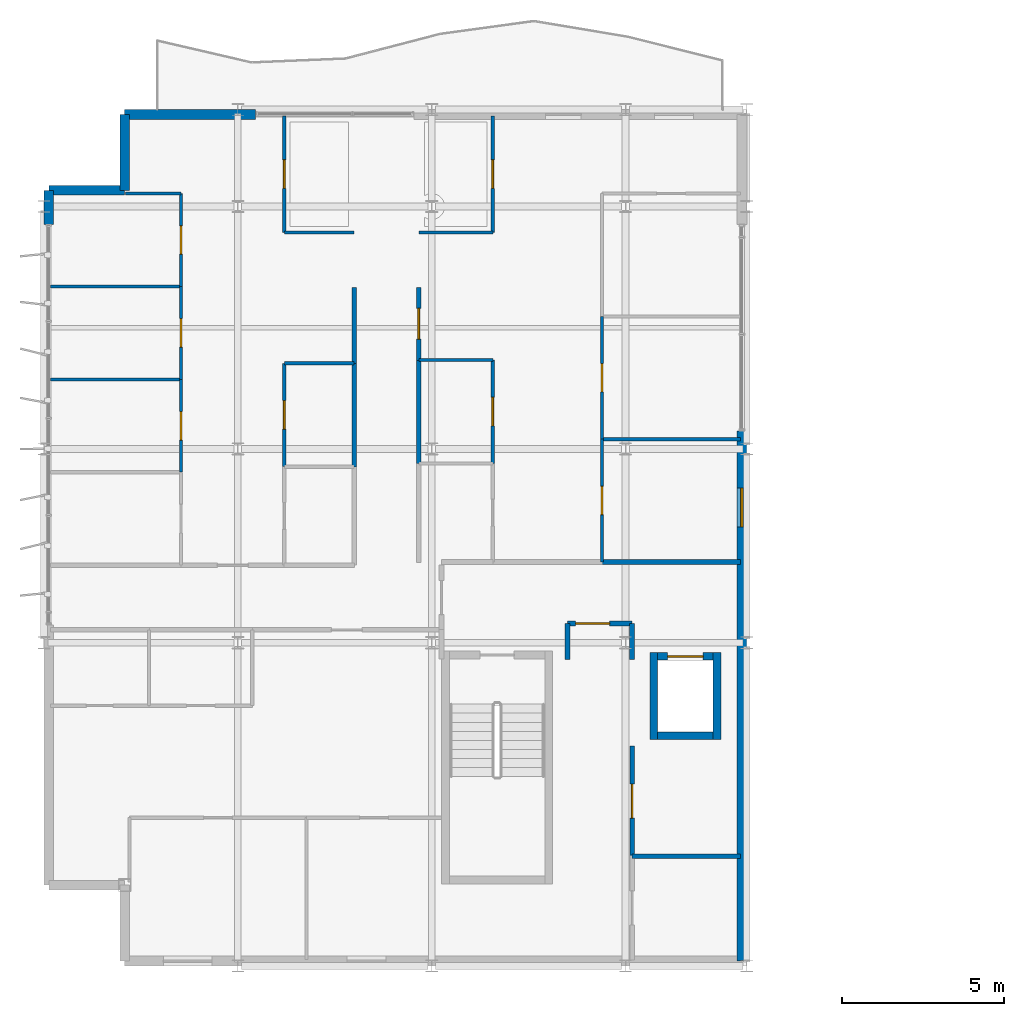
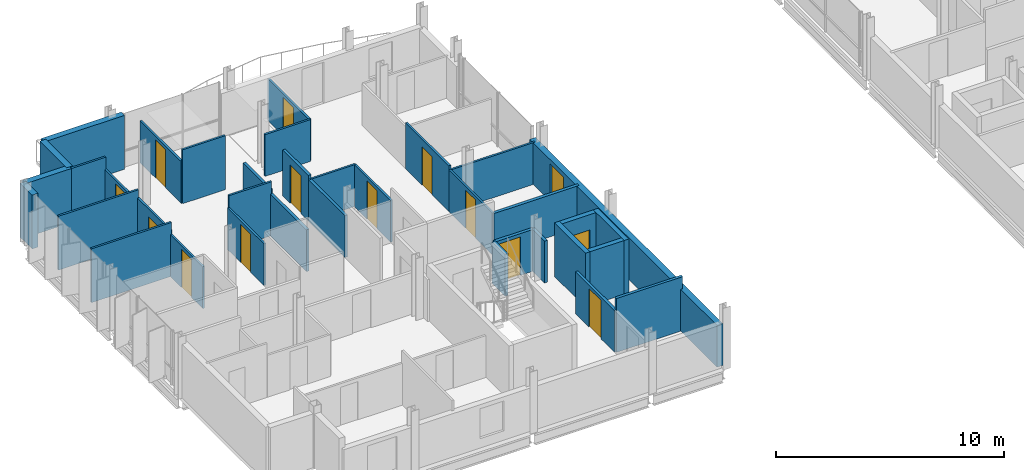
# One storey, part 23 of 30: 36 walls, 13 doors, 1 window, 14 openings.
"""IFC4 building model written with IfcOpenShell, lengths in metres."""

from ifc_helpers import new_model, si_unit, direction, frame, frame_2d, origin, place, context, subcontext, project, spatial, rectangle, extrude, material, layer, layer_set, type_object, element, fill, save


model = new_model("IFC4")

# Units and contexts
model_context = context("Model", 3, precision=1e-05, world=origin(), true_north=direction((0.0, 1.0)))
body_context = subcontext(model_context, "Body", "Model", "MODEL_VIEW")
ifc_project = project(units=[si_unit("LENGTHUNIT", "METRE"), si_unit("AREAUNIT", "SQUARE_METRE"), si_unit("VOLUMEUNIT", "CUBIC_METRE"), si_unit("PLANEANGLEUNIT", "RADIAN"), si_unit("MASSUNIT", "GRAM", prefix="KILO")], contexts=[model_context])

# Site, building, storey
site_placement = place(None, origin())
site = spatial("IfcSite", under=ifc_project, at=site_placement, CompositionType="ELEMENT")
building_placement = place(site_placement, origin())
building = spatial("IfcBuilding", under=site, at=building_placement, Name="Brevholm Reach", CompositionType="ELEMENT")
storey_placement = place(building_placement, frame((0.0, 0.0, 211.10009765625)))
storey = spatial("IfcBuildingStorey", under=building, at=storey_placement, Name="L64", CompositionType="ELEMENT", Elevation=211.10009765625)

# Walls
ifc_material_1 = material(Name="Concrete C45/55", Category="concrete")
ifc_layer_1 = layer(ifc_material_1, 0.239990234375)
ifc_layer_set_1 = layer_set([ifc_layer_1], Name="Concrete C45/55")
wall_type_1 = type_object("IfcWallType", Name="WAL-COR-240", PredefinedType="SHEAR", material=ifc_layer_set_1)
for number, where, z_axis, x_axis, name in (
    (1, (18.8701171875, 7.0, 0.0), (0.0, 0.0, 1.0), (0.0, 1.0, 0.0), "L64 Lift FFL-1 Shaft Wall W"),
    (2, (20.830078125, 7.0, 0.0), (0.0, 0.0, 1.0), (0.0, 1.0, 0.0), "L64 Lift FFL-1 Shaft Wall E"),
):
    element("IfcWall", number, at=place(storey_placement, frame(where, z_axis=z_axis, x_axis=x_axis)), inside=storey, type_object=wall_type_1, Name=name, PredefinedType="SHEAR", context=body_context, shape_type="SweptSolid", body=[
        extrude(rectangle(XDim=2.699951171875, YDim=0.239990234375, at=frame_2d((1.35009765625, 0.0))), origin(), (0.0, 0.0, 1.0), 2.8798828125),
    ])
wall_1_placement = place(storey_placement, frame((18.989990234375, 7.1201171875, 0.0), z_axis=(0.0, 0.0, 1.0), x_axis=(1.0, 0.0, 0.0)))
element("IfcWall", 3, at=wall_1_placement, inside=storey, type_object=wall_type_1, Name="L64 Lift FFL-1 Shaft Wall S", PredefinedType="SHEAR", context=body_context, shape_type="SweptSolid", body=[
    extrude(rectangle(XDim=1.719970703125, YDim=0.239990234375, at=frame_2d((0.85986328125, 0.0))), origin(), (0.0, 0.0, 1.0), 2.8798828125),
])

# Wall, opening, door
wall_2_placement = place(storey_placement, frame((18.989990234375, 9.580078125, 0.0), z_axis=(0.0, 0.0, 1.0), x_axis=(1.0, 0.0, 0.0)))
wall_2 = element("IfcWall", 4, at=wall_2_placement, inside=storey, type_object=wall_type_1, Name="L64 Lift FFL-1 Shaft Wall N", PredefinedType="SHEAR", context=body_context, shape_type="SweptSolid", body=[
    extrude(rectangle(XDim=1.719970703125, YDim=0.239990234375, at=frame_2d((0.85986328125, 0.0))), origin(), (0.0, 0.0, 1.0), 2.8798828125),
])
opening_1_placement = place(wall_2_placement, frame((0.31005859375, 0.0, 0.0)))
opening_1 = element("IfcOpeningElement", 5, at=opening_1_placement, cuts=wall_2, Name="Opening LD-FFL-1", PredefinedType="OPENING", context=body_context, shape_type="SweptSolid", body=[
    extrude(rectangle(XDim=1.10009765625, YDim=2.06005859375, at=frame_2d((0.550048828125, 1.030029296875))), frame((0.0, 0.1298828125, 0.0), z_axis=(0.0, -1.0, 0.0), x_axis=(1.0, 0.0, 0.0)), (0.0, 0.0, 1.0), 0.260009765625),
])
ifc_material_2 = material(Name="Brushed Stainless Steel Fire-Rated Sliding Lift Door", Category="steel")
door_type_1 = type_object("IfcDoorType", Name="DOR-LFT-1100", OperationType="NOTDEFINED", PredefinedType="DOOR", material=ifc_material_2)
door_1_placement = place(opening_1_placement, origin())
door_1 = element("IfcDoor", 6, at=door_1_placement, inside=storey, type_object=door_type_1, Name="L64 Lift FFL-1 Sliding Landing Door", OperationType="SLIDING_TO_RIGHT", OverallHeight=2.06005859375, OverallWidth=1.10009765625, PredefinedType="DOOR", context=body_context, shape_type="SweptSolid", body=[
    extrude(rectangle(XDim=1.10009765625, YDim=2.06005859375, at=frame_2d((0.550048828125, 1.030029296875))), frame((0.0, 0.02490234375, 0.0), z_axis=(0.0, -1.0, 0.0), x_axis=(1.0, 0.0, 0.0)), (0.0, 0.0, 1.0), 0.050048828125),
])
fill(opening_1, door_1)

# Walls
ifc_material_3 = material(Name="Concrete C40/50", Category="concrete")
ifc_layer_2 = layer(ifc_material_3, 0.300048828125)
ifc_layer_set_2 = layer_set([ifc_layer_2], Name="Concrete C40/50")
wall_type_2 = type_object("IfcWallType", Name="WAL-EXT-300", PredefinedType="STANDARD", material=ifc_layer_set_2)
for number, where, z_axis, x_axis, name in (
    (7, (2.5, 26.35009765625, 0.0), (0.0, 0.0, 1.0), (0.0, -1.0, 0.0), "L64 Facade Wall WAL-L64-WW-CNW1"),
    (8, (2.5, 24.0, 0.0), (0.0, 0.0, 1.0), (-1.0, 0.0, 0.0), "L64 Facade Wall WAL-L64-WW-CNW2"),
):
    element("IfcWall", number, at=place(storey_placement, frame(where, z_axis=z_axis, x_axis=x_axis)), inside=storey, type_object=wall_type_2, Name=name, PredefinedType="STANDARD", context=body_context, shape_type="SweptSolid", body=[
        extrude(rectangle(XDim=2.35009765625, YDim=0.300048828125, at=frame_2d((1.175048828125, 0.0))), origin(), (0.0, 0.0, 1.0), 2.8798828125),
    ])
wall_3_placement = place(storey_placement, frame((0.14990234375, 24.0, 0.0), z_axis=(0.0, 0.0, 1.0), x_axis=(0.0, -1.0, 0.0)))
element("IfcWall", 9, at=wall_3_placement, inside=storey, type_object=wall_type_2, Name="L64 Facade Wall WAL-L64-WW-WN", PredefinedType="STANDARD", context=body_context, shape_type="SweptSolid", body=[
    extrude(rectangle(XDim=1.050048828125, YDim=0.300048828125, at=frame_2d((0.52490234375, 0.0))), origin(), (0.0, 0.0, 1.0), 2.8798828125),
])
wall_4_placement = place(storey_placement, frame((2.5, 26.35009765625, 0.0), z_axis=(0.0, 0.0, 1.0), x_axis=(1.0, 0.0, 0.0)))
element("IfcWall", 10, at=wall_4_placement, inside=storey, type_object=wall_type_2, Name="L64 Facade Wall WAL-L64-WW-NP1", PredefinedType="STANDARD", context=body_context, shape_type="SweptSolid", body=[
    extrude(rectangle(XDim=4.050048828125, YDim=0.300048828125, at=frame_2d((2.02490234375, 0.0))), origin(), (0.0, 0.0, 1.0), 2.8798828125),
])

# Wall, opening, window
wall_5_placement = place(storey_placement, frame((21.60009765625, 0.14990234375, 0.0), z_axis=(0.0, 0.0, 1.0), x_axis=(0.0, 1.0, 0.0)))
wall_5 = element("IfcWall", 11, at=wall_5_placement, inside=storey, type_object=wall_type_2, Name="L64 Facade Wall WAL-L64-VP-WS", PredefinedType="STANDARD", context=body_context, shape_type="SweptSolid", body=[
    extrude(rectangle(XDim=16.400146484375, YDim=0.300048828125, at=frame_2d((8.2001953125, 0.0))), origin(), (0.0, 0.0, 1.0), 2.234619140625),
])
opening_2_placement = place(wall_5_placement, frame((13.436279296875, 0.0, 0.414794921875)))
opening_2 = element("IfcOpeningElement", 12, at=opening_2_placement, cuts=wall_5, Name="Opening WN-08", PredefinedType="OPENING", context=body_context, shape_type="SweptSolid", body=[
    extrude(rectangle(XDim=1.199951171875, YDim=1.60009765625, at=frame_2d((0.60009765625, 0.800048828125))), frame((0.0, 0.159912109375, 0.0), z_axis=(0.0, -1.0, 0.0), x_axis=(1.0, 0.0, 0.0)), (0.0, 0.0, 1.0), 0.320068359375),
])
ifc_material_4 = material(Name="Dark Anodised Aluminium and Solar-Control IGU Glass", Category="aluminium")
window_type = type_object("IfcWindowType", Name="WIN-RES-1200", PartitioningType="SINGLE_PANEL", PredefinedType="WINDOW", material=ifc_material_4)
window_placement = place(opening_2_placement, origin())
window = element("IfcWindow", 13, at=window_placement, inside=storey, type_object=window_type, Name="L64 Bedroom Window 067", OverallHeight=1.60009765625, OverallWidth=1.199951171875, PartitioningType="SINGLE_PANEL", PredefinedType="WINDOW", context=body_context, shape_type="SweptSolid", body=[
    extrude(rectangle(XDim=1.199951171875, YDim=1.60009765625, at=frame_2d((0.60009765625, 0.800048828125))), frame((0.0, 0.030029296875, 0.0), z_axis=(0.0, -1.0, 0.0), x_axis=(1.0, 0.0, 0.0)), (0.0, 0.0, 1.0), 0.06005859375),
])
fill(opening_2, window)

# Wall
ifc_material_5 = material(Name="Moisture-Resistant Acoustic Gypsum Stud Partition 100 mm", Category="gypsum")
ifc_layer_3 = layer(ifc_material_5, 0.10009765625)
ifc_layer_set_3 = layer_set([ifc_layer_3], Name="Moisture-Resistant Acoustic Gypsum Stud Partition 100 mm")
wall_type_3 = type_object("IfcWallType", Name="WAL-PRT-100", PredefinedType="PARTITIONING", material=ifc_layer_set_3)
wall_6_placement = place(storey_placement, frame((7.43798828125, 18.64990234375, 0.0), z_axis=(0.0, 0.0, 1.0), x_axis=(1.0, 0.0, 0.0)))
element("IfcWall", 14, at=wall_6_placement, inside=storey, type_object=wall_type_3, Name="L64 Internal Partition 049", PredefinedType="PARTITIONING", context=body_context, shape_type="SweptSolid", body=[
    extrude(rectangle(XDim=2.157958984375, YDim=0.10009765625, at=frame_2d((1.0791015625, 0.0))), origin(), (0.0, 0.0, 1.0), 2.8798828125),
])

# Wall, opening, door
wall_7_placement = place(storey_placement, frame((7.43798828125, 15.4541015625, 0.0), z_axis=(0.0, 0.0, 1.0), x_axis=(0.0, 1.0, 0.0)))
wall_7 = element("IfcWall", 15, at=wall_7_placement, inside=storey, type_object=wall_type_3, Name="L64 Internal Partition 050", PredefinedType="PARTITIONING", context=body_context, shape_type="SweptSolid", body=[
    extrude(rectangle(XDim=3.19580078125, YDim=0.10009765625, at=frame_2d((1.597900390625, 0.0))), origin(), (0.0, 0.0, 1.0), 2.234619140625),
])
opening_3_placement = place(wall_7_placement, frame((1.157958984375, 0.0, 0.0)))
opening_3 = element("IfcOpeningElement", 16, at=opening_3_placement, cuts=wall_7, Name="Opening ID-01", PredefinedType="OPENING", context=body_context, shape_type="SweptSolid", body=[
    extrude(rectangle(XDim=0.8798828125, YDim=2.0400390625, at=frame_2d((0.43994140625, 1.02001953125))), frame((0.0, 0.06005859375, 0.0), z_axis=(0.0, -1.0, 0.0), x_axis=(1.0, 0.0, 0.0)), (0.0, 0.0, 1.0), 0.1201171875),
])
ifc_material_6 = material(Name="Lacquered Ash Solid-Core Acoustic Internal Door", Category="timber")
door_type_2 = type_object("IfcDoorType", Name="DOR-INT-880", OperationType="NOTDEFINED", PredefinedType="DOOR", material=ifc_material_6)
door_2_placement = place(opening_3_placement, origin())
door_2 = element("IfcDoor", 17, at=door_2_placement, inside=storey, type_object=door_type_2, Name="L64 Internal Door 021", OperationType="SINGLE_SWING_RIGHT", OverallHeight=2.0400390625, OverallWidth=0.8798828125, PredefinedType="DOOR", context=body_context, shape_type="SweptSolid", body=[
    extrude(rectangle(XDim=0.8798828125, YDim=2.0400390625, at=frame_2d((0.43994140625, 1.02001953125))), frame((0.0, 0.02490234375, 0.0), z_axis=(0.0, -1.0, 0.0), x_axis=(1.0, 0.0, 0.0)), (0.0, 0.0, 1.0), 0.050048828125),
])
fill(opening_3, door_2)

# Wall
wall_8_placement = place(storey_placement, frame((7.43798828125, 22.699951171875, 0.0), z_axis=(0.0, 0.0, 1.0), x_axis=(1.0, 0.0, 0.0)))
element("IfcWall", 18, at=wall_8_placement, inside=storey, type_object=wall_type_3, Name="L64 Internal Partition 051", PredefinedType="PARTITIONING", context=body_context, shape_type="SweptSolid", body=[
    extrude(rectangle(XDim=2.162109375, YDim=0.10009765625, at=frame_2d((1.0810546875, 0.0))), origin(), (0.0, 0.0, 1.0), 2.8798828125),
])

# Wall, opening, door
wall_9_placement = place(storey_placement, frame((7.43798828125, 22.699951171875, 0.0), z_axis=(0.0, 0.0, 1.0), x_axis=(0.0, 1.0, 0.0)))
wall_9 = element("IfcWall", 19, at=wall_9_placement, inside=storey, type_object=wall_type_3, Name="L64 Internal Partition 052", PredefinedType="PARTITIONING", context=body_context, shape_type="SweptSolid", body=[
    extrude(rectangle(XDim=3.60009765625, YDim=0.10009765625, at=frame_2d((1.800048828125, 0.0))), origin(), (0.0, 0.0, 1.0), 2.234619140625),
])
opening_4_placement = place(wall_9_placement, frame((1.360107421875, 0.0, 0.0)))
opening_4 = element("IfcOpeningElement", 20, at=opening_4_placement, cuts=wall_9, Name="Opening ID-01", PredefinedType="OPENING", context=body_context, shape_type="SweptSolid", body=[
    extrude(rectangle(XDim=0.8798828125, YDim=2.0400390625, at=frame_2d((0.43994140625, 1.02001953125))), frame((0.0, 0.06005859375, 0.0), z_axis=(0.0, -1.0, 0.0), x_axis=(1.0, 0.0, 0.0)), (0.0, 0.0, 1.0), 0.1201171875),
])
door_3_placement = place(opening_4_placement, origin())
door_3 = element("IfcDoor", 21, at=door_3_placement, inside=storey, type_object=door_type_2, Name="L64 Internal Door 022", OperationType="SINGLE_SWING_LEFT", OverallHeight=2.0400390625, OverallWidth=0.8798828125, PredefinedType="DOOR", context=body_context, shape_type="SweptSolid", body=[
    extrude(rectangle(XDim=0.8798828125, YDim=2.0400390625, at=frame_2d((0.43994140625, 1.02001953125))), frame((0.0, 0.02490234375, 0.0), z_axis=(0.0, -1.0, 0.0), x_axis=(1.0, 0.0, 0.0)), (0.0, 0.0, 1.0), 0.050048828125),
])
fill(opening_4, door_3)

# Wall
wall_10_placement = place(storey_placement, frame((0.199951171875, 18.14990234375, 0.0), z_axis=(0.0, 0.0, 1.0), x_axis=(1.0, 0.0, 0.0)))
element("IfcWall", 22, at=wall_10_placement, inside=storey, type_object=wall_type_3, Name="L64 Internal Partition 055", PredefinedType="PARTITIONING", context=body_context, shape_type="SweptSolid", body=[
    extrude(rectangle(XDim=4.0419921875, YDim=0.10009765625, at=frame_2d((2.02099609375, 0.0))), origin(), (0.0, 0.0, 1.0), 2.8798828125),
])

# Wall, opening, door
wall_11_placement = place(storey_placement, frame((4.241943359375, 15.279052734375, 0.0), z_axis=(0.0, 0.0, 1.0), x_axis=(0.0, 1.0, 0.0)))
wall_11 = element("IfcWall", 23, at=wall_11_placement, inside=storey, type_object=wall_type_3, Name="L64 Internal Partition 056", PredefinedType="PARTITIONING", context=body_context, shape_type="SweptSolid", body=[
    extrude(rectangle(XDim=2.870849609375, YDim=0.10009765625, at=frame_2d((1.435546875, 0.0))), origin(), (0.0, 0.0, 1.0), 2.234619140625),
])
opening_5_placement = place(wall_11_placement, frame((0.99560546875, 0.0, 0.0)))
opening_5 = element("IfcOpeningElement", 24, at=opening_5_placement, cuts=wall_11, Name="Opening ID-01", PredefinedType="OPENING", context=body_context, shape_type="SweptSolid", body=[
    extrude(rectangle(XDim=0.8798828125, YDim=2.0400390625, at=frame_2d((0.43994140625, 1.02001953125))), frame((0.0, 0.06005859375, 0.0), z_axis=(0.0, -1.0, 0.0), x_axis=(1.0, 0.0, 0.0)), (0.0, 0.0, 1.0), 0.1201171875),
])
door_4_placement = place(opening_5_placement, origin())
door_4 = element("IfcDoor", 25, at=door_4_placement, inside=storey, type_object=door_type_2, Name="L64 Internal Door 024", OperationType="SINGLE_SWING_LEFT", OverallHeight=2.0400390625, OverallWidth=0.8798828125, PredefinedType="DOOR", context=body_context, shape_type="SweptSolid", body=[
    extrude(rectangle(XDim=0.8798828125, YDim=2.0400390625, at=frame_2d((0.43994140625, 1.02001953125))), frame((0.0, 0.02490234375, 0.0), z_axis=(0.0, -1.0, 0.0), x_axis=(1.0, 0.0, 0.0)), (0.0, 0.0, 1.0), 0.050048828125),
])
fill(opening_5, door_4)

# Wall
wall_12_placement = place(storey_placement, frame((0.199951171875, 21.02490234375, 0.0), z_axis=(0.0, 0.0, 1.0), x_axis=(1.0, 0.0, 0.0)))
element("IfcWall", 26, at=wall_12_placement, inside=storey, type_object=wall_type_3, Name="L64 Internal Partition 057", PredefinedType="PARTITIONING", context=body_context, shape_type="SweptSolid", body=[
    extrude(rectangle(XDim=4.0419921875, YDim=0.10009765625, at=frame_2d((2.02099609375, 0.0))), origin(), (0.0, 0.0, 1.0), 2.8798828125),
])

# Wall, opening, door
wall_13_placement = place(storey_placement, frame((4.241943359375, 18.154052734375, 0.0), z_axis=(0.0, 0.0, 1.0), x_axis=(0.0, 1.0, 0.0)))
wall_13 = element("IfcWall", 27, at=wall_13_placement, inside=storey, type_object=wall_type_3, Name="L64 Internal Partition 058", PredefinedType="PARTITIONING", context=body_context, shape_type="SweptSolid", body=[
    extrude(rectangle(XDim=2.870849609375, YDim=0.10009765625, at=frame_2d((1.435546875, 0.0))), origin(), (0.0, 0.0, 1.0), 2.448486328125),
])
opening_6_placement = place(wall_13_placement, frame((0.99560546875, 0.0, 0.0)))
opening_6 = element("IfcOpeningElement", 28, at=opening_6_placement, cuts=wall_13, Name="Opening ID-01", PredefinedType="OPENING", context=body_context, shape_type="SweptSolid", body=[
    extrude(rectangle(XDim=0.8798828125, YDim=2.0400390625, at=frame_2d((0.43994140625, 1.02001953125))), frame((0.0, 0.06005859375, 0.0), z_axis=(0.0, -1.0, 0.0), x_axis=(1.0, 0.0, 0.0)), (0.0, 0.0, 1.0), 0.1201171875),
])
door_5_placement = place(opening_6_placement, origin())
door_5 = element("IfcDoor", 29, at=door_5_placement, inside=storey, type_object=door_type_2, Name="L64 Internal Door 025", OperationType="SINGLE_SWING_RIGHT", OverallHeight=2.0400390625, OverallWidth=0.8798828125, PredefinedType="DOOR", context=body_context, shape_type="SweptSolid", body=[
    extrude(rectangle(XDim=0.8798828125, YDim=2.0400390625, at=frame_2d((0.43994140625, 1.02001953125))), frame((0.0, 0.02490234375, 0.0), z_axis=(0.0, -1.0, 0.0), x_axis=(1.0, 0.0, 0.0)), (0.0, 0.0, 1.0), 0.050048828125),
])
fill(opening_6, door_5)

# Wall
wall_14_placement = place(storey_placement, frame((2.52001953125, 23.89990234375, 0.0), z_axis=(0.0, 0.0, 1.0), x_axis=(1.0, 0.0, 0.0)))
element("IfcWall", 30, at=wall_14_placement, inside=storey, type_object=wall_type_3, Name="L64 Internal Partition 059", PredefinedType="PARTITIONING", context=body_context, shape_type="SweptSolid", body=[
    extrude(rectangle(XDim=1.721923828125, YDim=0.10009765625, at=frame_2d((0.86083984375, 0.0))), origin(), (0.0, 0.0, 1.0), 2.8798828125),
])

# Wall, opening, door
wall_15_placement = place(storey_placement, frame((4.241943359375, 21.029052734375, 0.0), z_axis=(0.0, 0.0, 1.0), x_axis=(0.0, 1.0, 0.0)))
wall_15 = element("IfcWall", 31, at=wall_15_placement, inside=storey, type_object=wall_type_3, Name="L64 Internal Partition 060", PredefinedType="PARTITIONING", context=body_context, shape_type="SweptSolid", body=[
    extrude(rectangle(XDim=2.870849609375, YDim=0.10009765625, at=frame_2d((1.435546875, 0.0))), origin(), (0.0, 0.0, 1.0), 2.234619140625),
])
opening_7_placement = place(wall_15_placement, frame((0.99560546875, 0.0, 0.0)))
opening_7 = element("IfcOpeningElement", 32, at=opening_7_placement, cuts=wall_15, Name="Opening ID-01", PredefinedType="OPENING", context=body_context, shape_type="SweptSolid", body=[
    extrude(rectangle(XDim=0.8798828125, YDim=2.0400390625, at=frame_2d((0.43994140625, 1.02001953125))), frame((0.0, 0.06005859375, 0.0), z_axis=(0.0, -1.0, 0.0), x_axis=(1.0, 0.0, 0.0)), (0.0, 0.0, 1.0), 0.1201171875),
])
door_6_placement = place(opening_7_placement, origin())
door_6 = element("IfcDoor", 33, at=door_6_placement, inside=storey, type_object=door_type_2, Name="L64 Internal Door 026", OperationType="SINGLE_SWING_LEFT", OverallHeight=2.0400390625, OverallWidth=0.8798828125, PredefinedType="DOOR", context=body_context, shape_type="SweptSolid", body=[
    extrude(rectangle(XDim=0.8798828125, YDim=2.0400390625, at=frame_2d((0.43994140625, 1.02001953125))), frame((0.0, 0.02490234375, 0.0), z_axis=(0.0, -1.0, 0.0), x_axis=(1.0, 0.0, 0.0)), (0.0, 0.0, 1.0), 0.050048828125),
])
fill(opening_7, door_6)

wall_16_placement = place(storey_placement, frame((13.888916015625, 15.553955078125, 0.0), z_axis=(0.0, 0.0, 1.0), x_axis=(0.0, 1.0, 0.0)))
wall_16 = element("IfcWall", 34, at=wall_16_placement, inside=storey, type_object=wall_type_3, Name="L64 Internal Partition 063", PredefinedType="PARTITIONING", context=body_context, shape_type="SweptSolid", body=[
    extrude(rectangle(XDim=3.196044921875, YDim=0.10009765625, at=frame_2d((1.59814453125, 0.0))), origin(), (0.0, 0.0, 1.0), 2.234619140625),
])
opening_8_placement = place(wall_16_placement, frame((1.157958984375, 0.0, 0.0)))
opening_8 = element("IfcOpeningElement", 35, at=opening_8_placement, cuts=wall_16, Name="Opening ID-01", PredefinedType="OPENING", context=body_context, shape_type="SweptSolid", body=[
    extrude(rectangle(XDim=0.8798828125, YDim=2.0400390625, at=frame_2d((0.43994140625, 1.02001953125))), frame((0.0, 0.06005859375, 0.0), z_axis=(0.0, -1.0, 0.0), x_axis=(1.0, 0.0, 0.0)), (0.0, 0.0, 1.0), 0.1201171875),
])
door_7_placement = place(opening_8_placement, origin())
door_7 = element("IfcDoor", 36, at=door_7_placement, inside=storey, type_object=door_type_2, Name="L64 Internal Door 028", OperationType="SINGLE_SWING_LEFT", OverallHeight=2.0400390625, OverallWidth=0.8798828125, PredefinedType="DOOR", context=body_context, shape_type="SweptSolid", body=[
    extrude(rectangle(XDim=0.8798828125, YDim=2.0400390625, at=frame_2d((0.43994140625, 1.02001953125))), frame((0.0, 0.02490234375, 0.0), z_axis=(0.0, -1.0, 0.0), x_axis=(1.0, 0.0, 0.0)), (0.0, 0.0, 1.0), 0.050048828125),
])
fill(opening_8, door_7)

# Walls
wall_17_placement = place(storey_placement, frame((11.60400390625, 18.75, 0.0), z_axis=(0.0, 0.0, 1.0), x_axis=(1.0, 0.0, 0.0)))
element("IfcWall", 37, at=wall_17_placement, inside=storey, type_object=wall_type_3, Name="L64 Internal Partition 064", PredefinedType="PARTITIONING", context=body_context, shape_type="SweptSolid", body=[
    extrude(rectangle(XDim=2.284912109375, YDim=0.10009765625, at=frame_2d((1.142578125, 0.0))), origin(), (0.0, 0.0, 1.0), 2.234619140625),
])
wall_18_placement = place(storey_placement, frame((11.60009765625, 22.699951171875, 0.0), z_axis=(0.0, 0.0, 1.0), x_axis=(1.0, 0.0, 0.0)))
element("IfcWall", 38, at=wall_18_placement, inside=storey, type_object=wall_type_3, Name="L64 Internal Partition 065", PredefinedType="PARTITIONING", context=body_context, shape_type="SweptSolid", body=[
    extrude(rectangle(XDim=2.288818359375, YDim=0.10009765625, at=frame_2d((1.14453125, 0.0))), origin(), (0.0, 0.0, 1.0), 2.234619140625),
])

# Wall, opening, door
wall_19_placement = place(storey_placement, frame((13.888916015625, 22.699951171875, 0.0), z_axis=(0.0, 0.0, 1.0), x_axis=(0.0, 1.0, 0.0)))
wall_19 = element("IfcWall", 39, at=wall_19_placement, inside=storey, type_object=wall_type_3, Name="L64 Internal Partition 066", PredefinedType="PARTITIONING", context=body_context, shape_type="SweptSolid", body=[
    extrude(rectangle(XDim=3.60009765625, YDim=0.10009765625, at=frame_2d((1.800048828125, 0.0))), origin(), (0.0, 0.0, 1.0), 2.234619140625),
])
opening_9_placement = place(wall_19_placement, frame((1.360107421875, 0.0, 0.0)))
opening_9 = element("IfcOpeningElement", 40, at=opening_9_placement, cuts=wall_19, Name="Opening ID-01", PredefinedType="OPENING", context=body_context, shape_type="SweptSolid", body=[
    extrude(rectangle(XDim=0.8798828125, YDim=2.0400390625, at=frame_2d((0.43994140625, 1.02001953125))), frame((0.0, 0.06005859375, 0.0), z_axis=(0.0, -1.0, 0.0), x_axis=(1.0, 0.0, 0.0)), (0.0, 0.0, 1.0), 0.1201171875),
])
door_8_placement = place(opening_9_placement, origin())
door_8 = element("IfcDoor", 41, at=door_8_placement, inside=storey, type_object=door_type_2, Name="L64 Internal Door 029", OperationType="SINGLE_SWING_RIGHT", OverallHeight=2.0400390625, OverallWidth=0.8798828125, PredefinedType="DOOR", context=body_context, shape_type="SweptSolid", body=[
    extrude(rectangle(XDim=0.8798828125, YDim=2.0400390625, at=frame_2d((0.43994140625, 1.02001953125))), frame((0.0, 0.02490234375, 0.0), z_axis=(0.0, -1.0, 0.0), x_axis=(1.0, 0.0, 0.0)), (0.0, 0.0, 1.0), 0.050048828125),
])
fill(opening_9, door_8)

# Wall
wall_20_placement = place(storey_placement, frame((17.27099609375, 16.300048828125, 0.0), z_axis=(0.0, 0.0, 1.0), x_axis=(1.0, 0.0, 0.0)))
element("IfcWall", 42, at=wall_20_placement, inside=storey, type_object=wall_type_3, Name="L64 Internal Partition 067", PredefinedType="PARTITIONING", context=body_context, shape_type="SweptSolid", body=[
    extrude(rectangle(XDim=4.279052734375, YDim=0.10009765625, at=frame_2d((2.1396484375, 0.0))), origin(), (0.0, 0.0, 1.0), 2.234619140625),
])

# Wall, opening, door
wall_21_placement = place(storey_placement, frame((17.27099609375, 12.50390625, 0.0), z_axis=(0.0, 0.0, 1.0), x_axis=(0.0, 1.0, 0.0)))
wall_21 = element("IfcWall", 43, at=wall_21_placement, inside=storey, type_object=wall_type_3, Name="L64 Internal Partition 068", PredefinedType="PARTITIONING", context=body_context, shape_type="SweptSolid", body=[
    extrude(rectangle(XDim=3.796142578125, YDim=0.10009765625, at=frame_2d((1.89794921875, 0.0))), origin(), (0.0, 0.0, 1.0), 2.234619140625),
])
opening_10_placement = place(wall_21_placement, frame((1.4580078125, 0.0, 0.0)))
opening_10 = element("IfcOpeningElement", 44, at=opening_10_placement, cuts=wall_21, Name="Opening ID-01", PredefinedType="OPENING", context=body_context, shape_type="SweptSolid", body=[
    extrude(rectangle(XDim=0.8798828125, YDim=2.0400390625, at=frame_2d((0.43994140625, 1.02001953125))), frame((0.0, 0.06005859375, 0.0), z_axis=(0.0, -1.0, 0.0), x_axis=(1.0, 0.0, 0.0)), (0.0, 0.0, 1.0), 0.1201171875),
])
door_9_placement = place(opening_10_placement, origin())
door_9 = element("IfcDoor", 45, at=door_9_placement, inside=storey, type_object=door_type_2, Name="L64 Internal Door 030", OperationType="SINGLE_SWING_LEFT", OverallHeight=2.0400390625, OverallWidth=0.8798828125, PredefinedType="DOOR", context=body_context, shape_type="SweptSolid", body=[
    extrude(rectangle(XDim=0.8798828125, YDim=2.0400390625, at=frame_2d((0.43994140625, 1.02001953125))), frame((0.0, 0.02490234375, 0.0), z_axis=(0.0, -1.0, 0.0), x_axis=(1.0, 0.0, 0.0)), (0.0, 0.0, 1.0), 0.050048828125),
])
fill(opening_10, door_9)

wall_22_placement = place(storey_placement, frame((17.27099609375, 16.303955078125, 0.0), z_axis=(0.0, 0.0, 1.0), x_axis=(0.0, 1.0, 0.0)))
wall_22 = element("IfcWall", 46, at=wall_22_placement, inside=storey, type_object=wall_type_3, Name="L64 Internal Partition 070", PredefinedType="PARTITIONING", context=body_context, shape_type="SweptSolid", body=[
    extrude(rectangle(XDim=3.796142578125, YDim=0.10009765625, at=frame_2d((1.89794921875, 0.0))), origin(), (0.0, 0.0, 1.0), 2.448486328125),
])
opening_11_placement = place(wall_22_placement, frame((1.4580078125, 0.0, 0.0)))
opening_11 = element("IfcOpeningElement", 47, at=opening_11_placement, cuts=wall_22, Name="Opening ID-01", PredefinedType="OPENING", context=body_context, shape_type="SweptSolid", body=[
    extrude(rectangle(XDim=0.8798828125, YDim=2.0400390625, at=frame_2d((0.43994140625, 1.02001953125))), frame((0.0, 0.06005859375, 0.0), z_axis=(0.0, -1.0, 0.0), x_axis=(1.0, 0.0, 0.0)), (0.0, 0.0, 1.0), 0.1201171875),
])
door_10_placement = place(opening_11_placement, origin())
door_10 = element("IfcDoor", 48, at=door_10_placement, inside=storey, type_object=door_type_2, Name="L64 Internal Door 031", OperationType="SINGLE_SWING_RIGHT", OverallHeight=2.0400390625, OverallWidth=0.8798828125, PredefinedType="DOOR", context=body_context, shape_type="SweptSolid", body=[
    extrude(rectangle(XDim=0.8798828125, YDim=2.0400390625, at=frame_2d((0.43994140625, 1.02001953125))), frame((0.0, 0.02490234375, 0.0), z_axis=(0.0, -1.0, 0.0), x_axis=(1.0, 0.0, 0.0)), (0.0, 0.0, 1.0), 0.050048828125),
])
fill(opening_11, door_10)

ifc_material_7 = material(Name="Twin-Stud Acoustic Fire-Rated Gypsum Partition 140 mm", Category="gypsum")
ifc_layer_4 = layer(ifc_material_7, 0.139892578125)
ifc_layer_set_4 = layer_set([ifc_layer_4], Name="Twin-Stud Acoustic Fire-Rated Gypsum Partition 140 mm")
wall_type_4 = type_object("IfcWallType", Name="WAL-PRT-140", PredefinedType="PARTITIONING", material=ifc_layer_set_4)
wall_23_placement = place(storey_placement, frame((18.199951171875, 3.392578125, 0.0), z_axis=(0.0, 0.0, 1.0), x_axis=(0.0, 1.0, 0.0)))
wall_23 = element("IfcWall", 49, at=wall_23_placement, inside=storey, type_object=wall_type_4, Name="L64 Internal Partition 002", PredefinedType="PARTITIONING", context=body_context, shape_type="SweptSolid", body=[
    extrude(rectangle(XDim=3.418701171875, YDim=0.139892578125, at=frame_2d((1.70947265625, 0.0))), origin(), (0.0, 0.0, 1.0), 2.234619140625),
])
opening_12_placement = place(wall_23_placement, frame((1.184326171875, 0.0, 0.0)))
opening_12 = element("IfcOpeningElement", 50, at=opening_12_placement, cuts=wall_23, Name="Opening FD-01", PredefinedType="OPENING", context=body_context, shape_type="SweptSolid", body=[
    extrude(rectangle(XDim=1.050048828125, YDim=2.06005859375, at=frame_2d((0.52490234375, 1.030029296875))), frame((0.0, 0.079833984375, 0.0), z_axis=(0.0, -1.0, 0.0), x_axis=(1.0, 0.0, 0.0)), (0.0, 0.0, 1.0), 0.159912109375),
])
ifc_material_8 = material(Name="Hardwood-Lipped Steel-Core Fire and Smoke Door", Category="steel")
door_type_3 = type_object("IfcDoorType", Name="DOR-INT-FD60S", OperationType="NOTDEFINED", PredefinedType="DOOR", material=ifc_material_8)
door_11_placement = place(opening_12_placement, origin())
door_11 = element("IfcDoor", 51, at=door_11_placement, inside=storey, type_object=door_type_3, Name="L64 Internal Door 002", OperationType="SINGLE_SWING_LEFT", OverallHeight=2.06005859375, OverallWidth=1.050048828125, PredefinedType="DOOR", context=body_context, shape_type="SweptSolid", body=[
    extrude(rectangle(XDim=1.050048828125, YDim=2.06005859375, at=frame_2d((0.52490234375, 1.030029296875))), frame((0.0, 0.02490234375, 0.0), z_axis=(0.0, -1.0, 0.0), x_axis=(1.0, 0.0, 0.0)), (0.0, 0.0, 1.0), 0.050048828125),
])
fill(opening_12, door_11)

# Walls
wall_24_placement = place(storey_placement, frame((18.2041015625, 3.39990234375, 0.0), z_axis=(0.0, 0.0, 1.0), x_axis=(1.0, 0.0, 0.0)))
element("IfcWall", 52, at=wall_24_placement, inside=storey, type_object=wall_type_4, Name="L64 Internal Partition 011", PredefinedType="PARTITIONING", context=body_context, shape_type="SweptSolid", body=[
    extrude(rectangle(XDim=3.345947265625, YDim=0.139892578125, at=frame_2d((1.6728515625, 0.0))), origin(), (0.0, 0.0, 1.0), 2.8798828125),
])
wall_25_placement = place(storey_placement, frame((9.60009765625, 15.442626953125, 0.0), z_axis=(0.0, 0.0, 1.0), x_axis=(0.0, 1.0, 0.0)))
element("IfcWall", 53, at=wall_25_placement, inside=storey, type_object=wall_type_4, Name="L64 Internal Partition 025", PredefinedType="PARTITIONING", context=body_context, shape_type="SweptSolid", body=[
    extrude(rectangle(XDim=3.21875, YDim=0.139892578125, at=frame_2d((1.609375, 0.0))), origin(), (0.0, 0.0, 1.0), 2.234619140625),
])
wall_26_placement = place(storey_placement, frame((9.60009765625, 18.642578125, 0.0), z_axis=(0.0, 0.0, 1.0), x_axis=(0.0, 1.0, 0.0)))
element("IfcWall", 54, at=wall_26_placement, inside=storey, type_object=wall_type_4, Name="L64 Internal Partition 026", PredefinedType="PARTITIONING", context=body_context, shape_type="SweptSolid", body=[
    extrude(rectangle(XDim=2.357421875, YDim=0.139892578125, at=frame_2d((1.1787109375, 0.0))), origin(), (0.0, 0.0, 1.0), 2.448486328125),
])
wall_27_placement = place(storey_placement, frame((11.60009765625, 15.542724609375, 0.0), z_axis=(0.0, 0.0, 1.0), x_axis=(0.0, 1.0, 0.0)))
element("IfcWall", 55, at=wall_27_placement, inside=storey, type_object=wall_type_4, Name="L64 Internal Partition 028", PredefinedType="PARTITIONING", context=body_context, shape_type="SweptSolid", body=[
    extrude(rectangle(XDim=3.218505859375, YDim=0.139892578125, at=frame_2d((1.609375, 0.0))), origin(), (0.0, 0.0, 1.0), 2.234619140625),
])

# Wall, opening, door
wall_28_placement = place(storey_placement, frame((11.60009765625, 18.74267578125, 0.0), z_axis=(0.0, 0.0, 1.0), x_axis=(0.0, 1.0, 0.0)))
wall_28 = element("IfcWall", 56, at=wall_28_placement, inside=storey, type_object=wall_type_4, Name="L64 Internal Partition 029", PredefinedType="PARTITIONING", context=body_context, shape_type="SweptSolid", body=[
    extrude(rectangle(XDim=2.25732421875, YDim=0.139892578125, at=frame_2d((1.128662109375, 0.0))), origin(), (0.0, 0.0, 1.0), 2.448486328125),
])
opening_13_placement = place(wall_28_placement, frame((0.65380859375, 0.0, 0.0)))
opening_13 = element("IfcOpeningElement", 57, at=opening_13_placement, cuts=wall_28, Name="Opening ID-30", PredefinedType="OPENING", context=body_context, shape_type="SweptSolid", body=[
    extrude(rectangle(XDim=0.949951171875, YDim=2.050048828125, at=frame_2d((0.47509765625, 1.02490234375))), frame((0.0, 0.079833984375, 0.0), z_axis=(0.0, -1.0, 0.0), x_axis=(1.0, 0.0, 0.0)), (0.0, 0.0, 1.0), 0.159912109375),
])
ifc_material_9 = material(Name="European Oak Veneered Solid-Core Fire Entrance Door", Category="timber")
door_type_4 = type_object("IfcDoorType", Name="DOR-FLT-FD30S", OperationType="NOTDEFINED", PredefinedType="DOOR", material=ifc_material_9)
door_12_placement = place(opening_13_placement, origin())
door_12 = element("IfcDoor", 58, at=door_12_placement, inside=storey, type_object=door_type_4, Name="L64 Internal Door 011", OperationType="SINGLE_SWING_RIGHT", OverallHeight=2.050048828125, OverallWidth=0.949951171875, PredefinedType="DOOR", context=body_context, shape_type="SweptSolid", body=[
    extrude(rectangle(XDim=0.949951171875, YDim=2.050048828125, at=frame_2d((0.47509765625, 1.02490234375))), frame((0.0, 0.02490234375, 0.0), z_axis=(0.0, -1.0, 0.0), x_axis=(1.0, 0.0, 0.0)), (0.0, 0.0, 1.0), 0.050048828125),
])
fill(opening_13, door_12)

# Walls
ifc_material_10 = material(Name="Twin-Frame Fire-Rated Gypsum Board and Mineral Wool 160 mm", Category="gypsum")
ifc_layer_5 = layer(ifc_material_10, 0.159912109375)
ifc_layer_set_5 = layer_set([ifc_layer_5], Name="Twin-Frame Fire-Rated Gypsum Board and Mineral Wool 160 mm")
wall_type_5 = type_object("IfcWallType", Name="WAL-PRT-160", PredefinedType="PARTITIONING", material=ifc_layer_set_5)
for number, where, z_axis, x_axis, name in (
    (59, (16.199951171875, 9.48876953125, 0.0), (0.0, 0.0, 1.0), (0.0, 1.0, 0.0), "L64 Internal Partition 003"),
    (60, (18.199951171875, 9.48876953125, 0.0), (0.0, 0.0, 1.0), (0.0, 1.0, 0.0), "L64 Internal Partition 004"),
):
    element("IfcWall", number, at=place(storey_placement, frame(where, z_axis=z_axis, x_axis=x_axis)), inside=storey, type_object=wall_type_5, Name=name, PredefinedType="PARTITIONING", context=body_context, shape_type="SweptSolid", body=[
        extrude(rectangle(XDim=1.111328125, YDim=0.159912109375, at=frame_2d((0.5556640625, 0.0))), origin(), (0.0, 0.0, 1.0), 2.234619140625),
    ])

# Wall, opening, door
wall_29_placement = place(storey_placement, frame((16.199951171875, 10.60009765625, 0.0), z_axis=(0.0, 0.0, 1.0), x_axis=(1.0, 0.0, 0.0)))
wall_29 = element("IfcWall", 61, at=wall_29_placement, inside=storey, type_object=wall_type_5, Name="L64 Internal Partition 005", PredefinedType="PARTITIONING", context=body_context, shape_type="SweptSolid", body=[
    extrude(rectangle(XDim=2.0, YDim=0.159912109375, at=frame_2d((1.0, 0.0))), origin(), (0.0, 0.0, 1.0), 2.234619140625),
])
opening_14_placement = place(wall_29_placement, frame((0.2548828125, 0.0, 0.0)))
opening_14 = element("IfcOpeningElement", 62, at=opening_14_placement, cuts=wall_29, Name="Opening FD-01", PredefinedType="OPENING", context=body_context, shape_type="SweptSolid", body=[
    extrude(rectangle(XDim=1.050048828125, YDim=2.06005859375, at=frame_2d((0.52490234375, 1.030029296875))), frame((0.0, 0.08984375, 0.0), z_axis=(0.0, -1.0, 0.0), x_axis=(1.0, 0.0, 0.0)), (0.0, 0.0, 1.0), 0.179931640625),
])
door_13_placement = place(opening_14_placement, origin())
door_13 = element("IfcDoor", 63, at=door_13_placement, inside=storey, type_object=door_type_3, Name="L64 Internal Door 003", OperationType="SINGLE_SWING_RIGHT", OverallHeight=2.06005859375, OverallWidth=1.050048828125, PredefinedType="DOOR", context=body_context, shape_type="SweptSolid", body=[
    extrude(rectangle(XDim=1.050048828125, YDim=2.06005859375, at=frame_2d((0.52490234375, 1.030029296875))), frame((0.0, 0.02490234375, 0.0), z_axis=(0.0, -1.0, 0.0), x_axis=(1.0, 0.0, 0.0)), (0.0, 0.0, 1.0), 0.050048828125),
])
fill(opening_14, door_13)

# Wall
wall_30_placement = place(storey_placement, frame((17.259765625, 12.5, 0.0), z_axis=(0.0, 0.0, 1.0), x_axis=(1.0, 0.0, 0.0)))
element("IfcWall", 64, at=wall_30_placement, inside=storey, type_object=wall_type_5, Name="L64 Internal Partition 016", PredefinedType="PARTITIONING", context=body_context, shape_type="SweptSolid", body=[
    extrude(rectangle(XDim=4.301513671875, YDim=0.159912109375, at=frame_2d((2.15087890625, 0.0))), origin(), (0.0, 0.0, 1.0), 2.234619140625),
])

save(model, "model.ifc")
